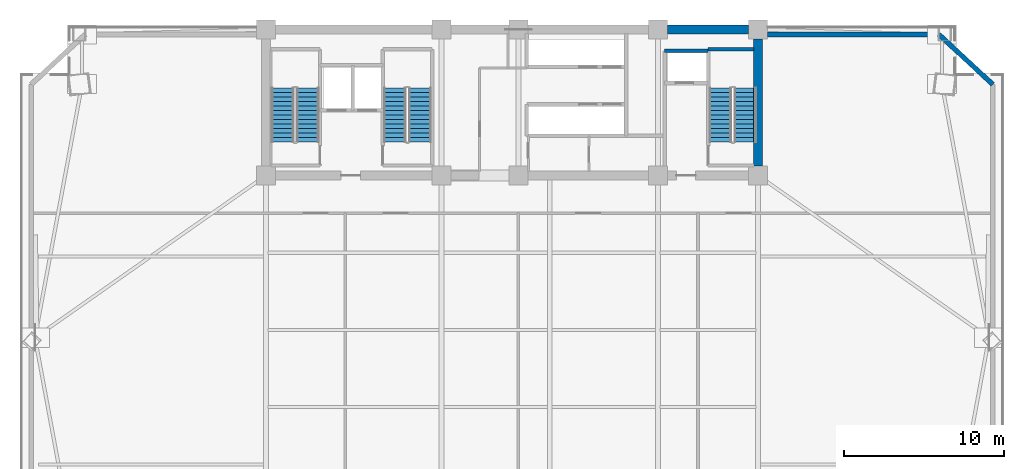
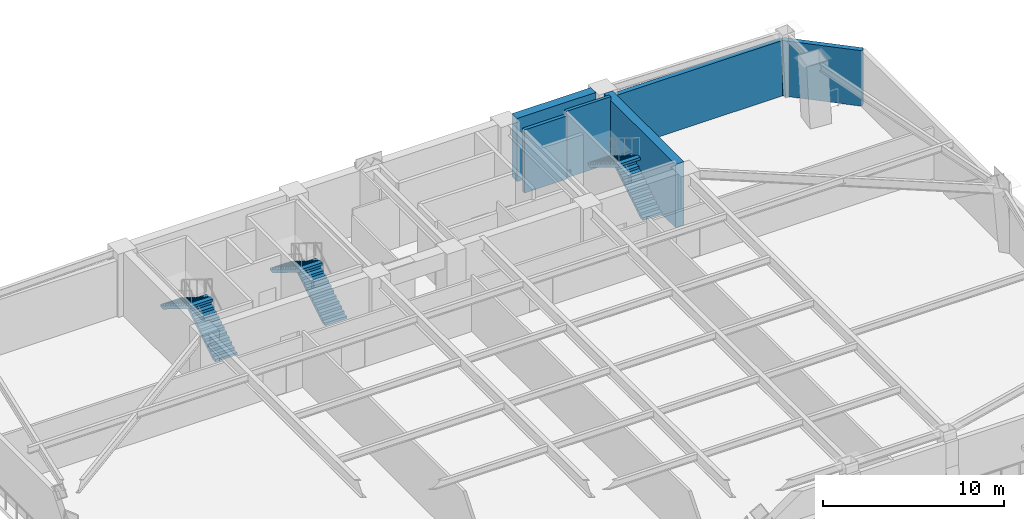
# One storey, part 4 of 9: 6 stair flights, 6 walls, 3 elements without a shape of their own.
"""IFC4 building model written with IfcOpenShell, lengths in metres."""

import ifcopenshell
import ifcopenshell.guid

model = None  # the IFC model being written
_history = None  # IfcOwnerHistory: only IFC2X3 demands one
_inside = {}  # id of a spatial element -> (the spatial element, [elements in it])
_under = {}  # id of a project, library or spatial element -> (it, [spatial elements below it])
_declared = {}  # id of a project -> (the project, [libraries it declares])
_typed = {}  # id of a type object -> (the type object, [elements of that type])
_made_of = {}  # id of a material, layer set ... -> (it, [elements and type objects made of it])


def new_model(schema):
    """Start an empty IFC model of exactly this schema.

    Asked for "IFC4X3", IfcOpenShell would pick the latest addendum, in which some entities
    have other attributes; the version numbers below select the first issue.
    IFC2X3 requires an IfcOwnerHistory on every rooted entity: one is made here for all.
    """
    global model, _history
    if schema == "IFC4X3":
        model = ifcopenshell.file(schema_version=(4, 3, 0, 0))
    else:
        model = ifcopenshell.file(schema=schema)
    _inside.clear()
    _under.clear()
    _declared.clear()
    _typed.clear()
    _made_of.clear()
    _history = None
    if model.schema == "IFC2X3":
        org = make("IfcOrganization", Name="unknown")
        user = make(
            "IfcPersonAndOrganization",
            ThePerson=make("IfcPerson", FamilyName="unknown"),
            TheOrganization=org,
        )
        app = make(
            "IfcApplication",
            ApplicationDeveloper=org,
            Version="unknown",
            ApplicationFullName="unknown",
            ApplicationIdentifier="unknown",
        )
        _history = make(
            "IfcOwnerHistory",
            OwningUser=user,
            OwningApplication=app,
            ChangeAction="ADDED",
            CreationDate=0,
        )
    return model


def make(cls, **values):
    """One entity of the class cls with the attributes given. An attribute that is None is left unset."""
    return model.create_entity(
        cls, **{name: value for name, value in values.items() if value is not None}
    )


def rooted(cls, **values):
    """An entity with a GlobalId (a new one), such as an element, a storey or a relation."""
    return make(cls, GlobalId=ifcopenshell.guid.new(), OwnerHistory=_history, **values)


def si_unit(unit_type, name, prefix=None):
    """IfcSIUnit, for example si_unit("LENGTHUNIT", "METRE", prefix="MILLI")."""
    return make("IfcSIUnit", UnitType=unit_type, Prefix=prefix, Name=name)


def assignment(units):
    """IfcUnitAssignment: the units of a project."""
    return None if units is None else make("IfcUnitAssignment", Units=units)


def point(xyz):
    """IfcCartesianPoint."""
    return None if xyz is None else make("IfcCartesianPoint", Coordinates=xyz)


def direction(xyz):
    """IfcDirection."""
    return None if xyz is None else make("IfcDirection", DirectionRatios=xyz)


def frame(location, z_axis=None, x_axis=None):
    """IfcAxis2Placement3D, a coordinate frame: its origin and axes. An axis left out is left unset."""
    return make(
        "IfcAxis2Placement3D",
        Location=point(location),
        Axis=direction(z_axis),
        RefDirection=direction(x_axis),
    )


def frame_2d(location, x_axis=None):
    """IfcAxis2Placement2D, a coordinate frame in the plane: its origin and x axis."""
    return make(
        "IfcAxis2Placement2D", Location=point(location), RefDirection=direction(x_axis)
    )


def origin():
    """The frame at (0, 0, 0) with its axes left unset."""
    return frame((0.0, 0.0, 0.0))


def place(relative_to, where):
    """IfcLocalPlacement: puts the frame where relative to a parent placement (None: the world)."""
    return make(
        "IfcLocalPlacement", PlacementRelTo=relative_to, RelativePlacement=where
    )


def context(
    kind, dimensions, precision=None, world=None, true_north=None, identifier=None
):
    """IfcGeometricRepresentationContext, for example the 3D "Model" context."""
    return make(
        "IfcGeometricRepresentationContext",
        ContextIdentifier=identifier,
        ContextType=kind,
        CoordinateSpaceDimension=dimensions,
        Precision=precision,
        WorldCoordinateSystem=world,
        TrueNorth=true_north,
    )


def subcontext(parent, identifier, kind, view, scale=None):
    """IfcGeometricRepresentationSubContext, for example "Body" below "Model"."""
    return make(
        "IfcGeometricRepresentationSubContext",
        ContextIdentifier=identifier,
        ContextType=kind,
        ParentContext=parent,
        TargetScale=scale,
        TargetView=view,
    )


def project(units=None, contexts=None):
    """IfcProject with its units and contexts."""
    return rooted(
        "IfcProject",
        Name="project",
        RepresentationContexts=contexts,
        UnitsInContext=assignment(units),
    )


def spatial(cls, under=None, at=None, **own):
    """A site, building, storey or space (cls), placed at a placement, below another one or the project."""
    s = rooted(cls, ObjectPlacement=at, **own)
    if under is not None:
        _under.setdefault(under.id(), (under, []))[1].append(s)
    return s


def polyline(points):
    """IfcPolyline through the points."""
    return make("IfcPolyline", Points=[point(p) for p in points])


def profile(cls, at=None, kind="AREA", **sizes):
    """A parametric profile (cls). Its sizes go by their IFC names, for example OverallWidth=200.0."""
    return make(cls, ProfileType=kind, Position=at, **sizes)


def rectangle(**sizes):
    """IfcRectangleProfileDef."""
    return profile("IfcRectangleProfileDef", **sizes)


def outline(outer, holes=None, kind="AREA"):
    """IfcArbitraryClosedProfileDef: a profile drawn as a closed curve; with holes, ...WithVoids."""
    if holes is None:
        return make("IfcArbitraryClosedProfileDef", ProfileType=kind, OuterCurve=outer)
    return make(
        "IfcArbitraryProfileDefWithVoids",
        ProfileType=kind,
        OuterCurve=outer,
        InnerCurves=holes,
    )


def extrude(swept, where, along, depth):
    """IfcExtrudedAreaSolid: the profile swept, set in the frame where, extruded along a direction by depth."""
    return make(
        "IfcExtrudedAreaSolid",
        SweptArea=swept,
        Position=where,
        ExtrudedDirection=direction(along),
        Depth=depth,
    )


def shape(context_of_items, identifier, shape_type, items):
    """IfcShapeRepresentation: the items that make up one representation, for example the "Body"."""
    return make(
        "IfcShapeRepresentation",
        ContextOfItems=context_of_items,
        RepresentationIdentifier=identifier,
        RepresentationType=shape_type,
        Items=items,
    )


def material(Name=None, Category=None):
    """IfcMaterial."""
    return make("IfcMaterial", Name=Name, Category=Category)


def layer(
    of_material, thickness, ventilated=None, Name=None, Category=None, Priority=None
):
    """IfcMaterialLayer: one layer of a wall or slab, of a material (None: an air gap)."""
    return make(
        "IfcMaterialLayer",
        Material=of_material,
        LayerThickness=thickness,
        IsVentilated=ventilated,
        Name=Name,
        Category=Category,
        Priority=Priority,
    )


def layer_set(layers, Name=None):
    """IfcMaterialLayerSet."""
    return make("IfcMaterialLayerSet", MaterialLayers=layers, LayerSetName=Name)


def made_of(thing, what):
    """Note that an element or type object is made of a material, layer set ...; save() writes the relation."""
    if what is not None:
        _made_of.setdefault(what.id(), (what, []))[1].append(thing)
    return thing


def type_object(cls, material=None, **own):
    """A type object (cls), such as IfcWallType, which elements share."""
    return made_of(rooted(cls, **own), material)


def element(
    cls,
    number,
    at=None,
    inside=None,
    cuts=None,
    type_object=None,
    material=None,
    context=None,
    identifier="Body",
    shape_type=None,
    held_by="IfcProductDefinitionShape",
    body=None,
    shapes=None,
    **own,
):
    """One element of the class cls, such as IfcWall. Its Tag is "e" and its number.

    at: its placement. inside: the storey or other place that contains it. cuts: it is an
    opening in that element (IfcRelVoidsElement). A single representation is given by context,
    identifier, shape_type and body (its items); several are given by shapes. held_by: the class
    of the entity that holds the representations. save() writes the other relations.
    """
    e = rooted(cls, Tag="e%d" % number, ObjectPlacement=at, **own)
    if body is not None:
        shapes = [shape(context, identifier, shape_type, body)]
    if shapes is not None:
        e.Representation = make(held_by, Representations=shapes)
    if inside is not None:
        _inside.setdefault(inside.id(), (inside, []))[1].append(e)
    if cuts is not None:
        rooted(
            "IfcRelVoidsElement", RelatingBuildingElement=cuts, RelatedOpeningElement=e
        )
    if type_object is not None:
        _typed.setdefault(type_object.id(), (type_object, []))[1].append(e)
    return made_of(e, material)


def aggregate(whole, parts):
    """IfcRelAggregates: a whole, such as a stair, and the parts it consists of."""
    return rooted("IfcRelAggregates", RelatingObject=whole, RelatedObjects=parts)


def save(model, path):
    """Write the relations noted so far, then the file.

    IfcRelAggregates (storeys below a building ...), IfcRelContainedInSpatialStructure (elements
    in a storey), IfcRelDefinesByType, IfcRelAssociatesMaterial and IfcRelDeclares: one each for
    every whole, place, type object, material and project.
    """
    for whole, parts in _under.values():
        aggregate(whole, parts)
    for where, things in _inside.values():
        rooted(
            "IfcRelContainedInSpatialStructure",
            RelatedElements=things,
            RelatingStructure=where,
        )
    for kind, things in _typed.values():
        rooted("IfcRelDefinesByType", RelatedObjects=things, RelatingType=kind)
    for what, things in _made_of.values():
        rooted("IfcRelAssociatesMaterial", RelatedObjects=things, RelatingMaterial=what)
    for by, libraries in _declared.values():
        rooted("IfcRelDeclares", RelatingContext=by, RelatedDefinitions=libraries)
    model.write(path)


model = new_model("IFC4")

# Units and contexts
model_context = context("Model", 3, precision=1e-05, world=origin(), true_north=direction((0.0, 1.0)))
body_context = subcontext(model_context, "Body", "Model", "MODEL_VIEW")
ifc_project = project(units=[si_unit("LENGTHUNIT", "METRE"), si_unit("AREAUNIT", "SQUARE_METRE"), si_unit("VOLUMEUNIT", "CUBIC_METRE"), si_unit("PLANEANGLEUNIT", "RADIAN"), si_unit("MASSUNIT", "GRAM", prefix="KILO")], contexts=[model_context])

# Site, building, storey
site_placement = place(None, origin())
site = spatial("IfcSite", under=ifc_project, at=site_placement, CompositionType="ELEMENT")
building_placement = place(site_placement, origin())
building = spatial("IfcBuilding", under=site, at=building_placement, Name="Giltprow Tower", CompositionType="ELEMENT")
storey_placement = place(building_placement, frame((0.0, 0.0, 144.699951171875)))
storey = spatial("IfcBuildingStorey", under=building, at=storey_placement, Name="L35", CompositionType="ELEMENT", Elevation=144.699951171875)

# Walls
ifc_material_1 = material(Name="Precast concrete C40", Category="concrete")
ifc_layer_1 = layer(ifc_material_1, 0.300048828125, Name="Precast concrete C40")
ifc_layer_set_1 = layer_set([ifc_layer_1], Name="Precast concrete C40")
wall_type_1 = type_object("IfcWallType", Name="EW-NOTCH-CHAMFER-300", PredefinedType="SOLIDWALL", material=ifc_layer_set_1)
wall_1_placement = place(storey_placement, frame((65.18603515625, 43.134033203125, 0.0), z_axis=(0.0, 0.0, 1.0), x_axis=(-0.733735117654, 0.67943563133, 0.0)))
element("IfcWall", 1, at=wall_1_placement, inside=storey, type_object=wall_type_1, Name="L35 Corner Notch Wall NE", PredefinedType="SOLIDWALL", context=body_context, shape_type="SweptSolid", body=[
    extrude(rectangle(XDim=4.586181640625, YDim=0.300048828125, at=frame_2d((2.29296875, 0.0))), origin(), (0.0, 0.0, 1.0), 3.75),
])
ifc_layer_2 = layer(ifc_material_1, 0.300048828125, Name="Precast concrete C40")
ifc_layer_set_2 = layer_set([ifc_layer_2], Name="Precast concrete C40")
wall_type_2 = type_object("IfcWallType", Name="EW-REF-LOUVRE-300", PredefinedType="SOLIDWALL", material=ifc_layer_set_2)
wall_2_placement = place(storey_placement, frame((51.14990234375, 46.25, 0.0), z_axis=(0.0, 0.0, 1.0), x_axis=(1.0, 0.0, 0.0)))
element("IfcWall", 2, at=wall_2_placement, inside=storey, type_object=wall_type_2, Name="L35 North-East Wing Wall", PredefinedType="SOLIDWALL", context=body_context, shape_type="SweptSolid", body=[
    extrude(rectangle(XDim=10.671142578125, YDim=0.300048828125, at=frame_2d((5.33544921875, 0.0))), origin(), (0.0, 0.0, 1.0), 3.75),
])
ifc_material_2 = material(Name="Concrete C40", Category="concrete")
ifc_layer_3 = layer(ifc_material_2, 0.219970703125, Name="Concrete C40")
ifc_layer_set_3 = layer_set([ifc_layer_3], Name="Concrete C40")
wall_type_3 = type_object("IfcWallType", Name="IW-SHAFT-220", PredefinedType="SOLIDWALL", material=ifc_layer_set_3)
wall_3_placement = place(storey_placement, frame((44.719970703125, 45.219970703125, 0.0), z_axis=(0.0, 0.0, 1.0), x_axis=(1.0, 0.0, 0.0)))
element("IfcWall", 3, at=wall_3_placement, inside=storey, type_object=wall_type_3, Name="L35 FFL2 Back Shaft Wall", PredefinedType="SOLIDWALL", context=body_context, shape_type="SweptSolid", body=[
    extrude(rectangle(XDim=2.719970703125, YDim=0.219970703125, at=frame_2d((1.35986328125, 0.0))), origin(), (0.0, 0.0, 1.0), 4.27001953125),
])
ifc_layer_4 = layer(ifc_material_2, 0.199951171875, Name="Concrete C40")
ifc_layer_set_4 = layer_set([ifc_layer_4], Name="Concrete C40")
wall_type_4 = type_object("IfcWallType", Name="IW-STAIR-200", PredefinedType="SOLIDWALL", material=ifc_layer_set_4)
wall_4_placement = place(storey_placement, frame((47.43994140625, 45.320068359375, 0.0), z_axis=(0.0, 0.0, 1.0), x_axis=(1.0, 0.0, 0.0)))
element("IfcWall", 4, at=wall_4_placement, inside=storey, type_object=wall_type_4, Name="L35 Stair ST-3 North Bearing Wall", PredefinedType="SOLIDWALL", context=body_context, shape_type="SweptSolid", body=[
    extrude(rectangle(XDim=2.85498046875, YDim=0.199951171875, at=frame_2d((1.427490234375, 0.0))), origin(), (0.0, 0.0, 1.0), 4.5),
])
ifc_material_3 = material(Name="Concrete C60", Category="concrete")
ifc_layer_5 = layer(ifc_material_3, 0.550048828125, Name="Concrete C60")
ifc_layer_set_5 = layer_set([ifc_layer_5], Name="Concrete C60")
wall_type_5 = type_object("IfcWallType", Name="SW-EXT-550-C60", PredefinedType="SHEAR", material=ifc_layer_set_5)
wall_5_placement = place(storey_placement, frame((44.89990234375, 46.550048828125, 0.0), z_axis=(0.0, 0.0, 1.0), x_axis=(1.0, 0.0, 0.0)))
element("IfcWall", 5, at=wall_5_placement, inside=storey, type_object=wall_type_5, Name="L35 North Rear Core Shear Wall 4", PredefinedType="SHEAR", context=body_context, shape_type="SweptSolid", body=[
    extrude(rectangle(XDim=5.050048828125, YDim=0.550048828125, at=frame_2d((2.52490234375, 0.0))), origin(), (0.0, 0.0, 1.0), 4.27001953125),
])
ifc_layer_6 = layer(ifc_material_3, 0.550048828125, Name="Concrete C60")
ifc_layer_set_6 = layer_set([ifc_layer_6], Name="Concrete C60")
wall_type_6 = type_object("IfcWallType", Name="SW-INT-550-C60", PredefinedType="SHEAR", material=ifc_layer_set_6)
wall_6_placement = place(storey_placement, frame((50.550048828125, 38.050048828125, 0.0), z_axis=(0.0, 0.0, 1.0), x_axis=(0.0, 1.0, 0.0)))
element("IfcWall", 6, at=wall_6_placement, inside=storey, type_object=wall_type_6, Name="L35 E Rear Core Shear Wall", PredefinedType="SHEAR", context=body_context, shape_type="SweptSolid", body=[
    extrude(rectangle(XDim=7.89990234375, YDim=0.550048828125, at=frame_2d((3.949951171875, 0.0))), origin(), (0.0, 0.0, 1.0), 4.27001953125),
])

# Stair, stair flights
stair_type_1 = type_object("IfcStairType", Name="STR-ST-1", PredefinedType="HALF_TURN_STAIR", material=ifc_material_2)
stair_1_placement = place(storey_placement, origin())
stair_1 = element("IfcStair", 7, at=stair_1_placement, inside=storey, type_object=stair_type_1, Name="L35 Core Exit Stair ST-1", PredefinedType="HALF_TURN_STAIR")
stair_flight_type_1 = type_object("IfcStairFlightType", Name="SFL-ST-1", PredefinedType="STRAIGHT", material=ifc_material_2)
stair_flight_1_placement = place(storey_placement, frame((22.4599609375, 39.550048828125, 0.0), z_axis=(0.0, 0.0, 1.0), x_axis=(0.0, 1.0, 0.0)))
stair_flight_1 = element("IfcStairFlight", 8, at=stair_flight_1_placement, type_object=stair_flight_type_1, Name="ST-1 flight 1", NumberOfRisers=13, NumberOfTreads=12, PredefinedType="STRAIGHT", RiserHeight=0.173076923, TreadLength=0.28, context=body_context, shape_type="SweptSolid", body=[
    extrude(outline(polyline([(0.0, 0.0), (0.0, 0.173095703125), (0.280029296875, 0.173095703125), (0.280029296875, 0.34619140625), (0.56005859375, 0.34619140625), (0.56005859375, 0.519287109375), (0.840087890625, 0.519287109375), (0.840087890625, 0.6923828125), (1.1201171875, 0.6923828125), (1.1201171875, 0.865478515625), (1.39990234375, 0.865478515625), (1.39990234375, 1.03857421875), (1.679931640625, 1.03857421875), (1.679931640625, 1.21142578125), (1.9599609375, 1.21142578125), (1.9599609375, 1.384521484375), (2.239990234375, 1.384521484375), (2.239990234375, 1.5576171875), (2.52001953125, 1.5576171875), (2.52001953125, 1.730712890625), (2.800048828125, 1.730712890625), (2.800048828125, 1.90380859375), (3.080078125, 1.90380859375), (3.080078125, 2.076904296875), (3.360107421875, 2.076904296875), (3.360107421875, 2.25), (3.360107421875, 1.900634765625), (0.28515625, 0.0), (0.0, 0.0)])), frame((0.0, 0.699951171875, 0.0), z_axis=(0.0, -1.0, 0.0), x_axis=(1.0, 0.0, 0.0)), (0.0, 0.0, 1.0), 1.39990234375),
])
stair_flight_2_placement = place(storey_placement, frame((20.89990234375, 42.909912109375, 2.25), z_axis=(0.0, 0.0, 1.0), x_axis=(0.0, -1.0, 0.0)))
stair_flight_2 = element("IfcStairFlight", 9, at=stair_flight_2_placement, type_object=stair_flight_type_1, Name="ST-1 flight 2", NumberOfRisers=13, NumberOfTreads=12, PredefinedType="STRAIGHT", RiserHeight=0.173076923, TreadLength=0.28, context=body_context, shape_type="SweptSolid", body=[
    extrude(outline(polyline([(0.0, 0.0), (0.0, 0.173095703125), (0.280029296875, 0.173095703125), (0.280029296875, 0.34619140625), (0.56005859375, 0.34619140625), (0.56005859375, 0.519287109375), (0.840087890625, 0.519287109375), (0.840087890625, 0.6923828125), (1.1201171875, 0.6923828125), (1.1201171875, 0.865478515625), (1.39990234375, 0.865478515625), (1.39990234375, 1.03857421875), (1.679931640625, 1.03857421875), (1.679931640625, 1.21142578125), (1.9599609375, 1.21142578125), (1.9599609375, 1.384521484375), (2.239990234375, 1.384521484375), (2.239990234375, 1.5576171875), (2.52001953125, 1.5576171875), (2.52001953125, 1.730712890625), (2.800048828125, 1.730712890625), (2.800048828125, 1.90380859375), (3.080078125, 1.90380859375), (3.080078125, 2.076904296875), (3.360107421875, 2.076904296875), (3.360107421875, 2.25), (3.360107421875, 1.900634765625), (0.28515625, 0.0), (0.0, 0.0)])), frame((0.0, 0.699951171875, 0.0), z_axis=(0.0, -1.0, 0.0), x_axis=(1.0, 0.0, 0.0)), (0.0, 0.0, 1.0), 1.39990234375),
])
aggregate(stair_1, [stair_flight_1, stair_flight_2])

stair_type_2 = type_object("IfcStairType", Name="STR-ST-2", PredefinedType="HALF_TURN_STAIR", material=ifc_material_2)
stair_2_placement = place(storey_placement, origin())
stair_2 = element("IfcStair", 10, at=stair_2_placement, inside=storey, type_object=stair_type_2, Name="L35 Core Exit Stair ST-2", PredefinedType="HALF_TURN_STAIR")
stair_flight_type_2 = type_object("IfcStairFlightType", Name="SFL-ST-2", PredefinedType="STRAIGHT", material=ifc_material_2)
stair_flight_3_placement = place(storey_placement, frame((29.4599609375, 39.550048828125, 0.0), z_axis=(0.0, 0.0, 1.0), x_axis=(0.0, 1.0, 0.0)))
stair_flight_3 = element("IfcStairFlight", 11, at=stair_flight_3_placement, type_object=stair_flight_type_2, Name="ST-2 flight 1", NumberOfRisers=13, NumberOfTreads=12, PredefinedType="STRAIGHT", RiserHeight=0.173076923, TreadLength=0.28, context=body_context, shape_type="SweptSolid", body=[
    extrude(outline(polyline([(0.0, 0.0), (0.0, 0.173095703125), (0.280029296875, 0.173095703125), (0.280029296875, 0.34619140625), (0.56005859375, 0.34619140625), (0.56005859375, 0.519287109375), (0.840087890625, 0.519287109375), (0.840087890625, 0.6923828125), (1.1201171875, 0.6923828125), (1.1201171875, 0.865478515625), (1.39990234375, 0.865478515625), (1.39990234375, 1.03857421875), (1.679931640625, 1.03857421875), (1.679931640625, 1.21142578125), (1.9599609375, 1.21142578125), (1.9599609375, 1.384521484375), (2.239990234375, 1.384521484375), (2.239990234375, 1.5576171875), (2.52001953125, 1.5576171875), (2.52001953125, 1.730712890625), (2.800048828125, 1.730712890625), (2.800048828125, 1.90380859375), (3.080078125, 1.90380859375), (3.080078125, 2.076904296875), (3.360107421875, 2.076904296875), (3.360107421875, 2.25), (3.360107421875, 1.900634765625), (0.28515625, 0.0), (0.0, 0.0)])), frame((0.0, 0.699951171875, 0.0), z_axis=(0.0, -1.0, 0.0), x_axis=(1.0, 0.0, 0.0)), (0.0, 0.0, 1.0), 1.39990234375),
])
stair_flight_4_placement = place(storey_placement, frame((27.89990234375, 42.909912109375, 2.25), z_axis=(0.0, 0.0, 1.0), x_axis=(0.0, -1.0, 0.0)))
stair_flight_4 = element("IfcStairFlight", 12, at=stair_flight_4_placement, type_object=stair_flight_type_2, Name="ST-2 flight 2", NumberOfRisers=13, NumberOfTreads=12, PredefinedType="STRAIGHT", RiserHeight=0.173076923, TreadLength=0.28, context=body_context, shape_type="SweptSolid", body=[
    extrude(outline(polyline([(0.0, 0.0), (0.0, 0.173095703125), (0.280029296875, 0.173095703125), (0.280029296875, 0.34619140625), (0.56005859375, 0.34619140625), (0.56005859375, 0.519287109375), (0.840087890625, 0.519287109375), (0.840087890625, 0.6923828125), (1.1201171875, 0.6923828125), (1.1201171875, 0.865478515625), (1.39990234375, 0.865478515625), (1.39990234375, 1.03857421875), (1.679931640625, 1.03857421875), (1.679931640625, 1.21142578125), (1.9599609375, 1.21142578125), (1.9599609375, 1.384521484375), (2.239990234375, 1.384521484375), (2.239990234375, 1.5576171875), (2.52001953125, 1.5576171875), (2.52001953125, 1.730712890625), (2.800048828125, 1.730712890625), (2.800048828125, 1.90380859375), (3.080078125, 1.90380859375), (3.080078125, 2.076904296875), (3.360107421875, 2.076904296875), (3.360107421875, 2.25), (3.360107421875, 1.900634765625), (0.28515625, 0.0), (0.0, 0.0)])), frame((0.0, 0.699951171875, 0.0), z_axis=(0.0, -1.0, 0.0), x_axis=(1.0, 0.0, 0.0)), (0.0, 0.0, 1.0), 1.39990234375),
])
aggregate(stair_2, [stair_flight_3, stair_flight_4])

stair_type_3 = type_object("IfcStairType", Name="STR-ST-3", PredefinedType="HALF_TURN_STAIR", material=ifc_material_2)
stair_3_placement = place(storey_placement, origin())
stair_3 = element("IfcStair", 13, at=stair_3_placement, inside=storey, type_object=stair_type_3, Name="L35 Core Exit Stair ST-3", PredefinedType="HALF_TURN_STAIR")
stair_flight_type_3 = type_object("IfcStairFlightType", Name="SFL-ST-3", PredefinedType="STRAIGHT", material=ifc_material_2)
stair_flight_5_placement = place(storey_placement, frame((49.760009765625, 39.550048828125, 0.0), z_axis=(0.0, 0.0, 1.0), x_axis=(0.0, 1.0, 0.0)))
stair_flight_5 = element("IfcStairFlight", 14, at=stair_flight_5_placement, type_object=stair_flight_type_3, Name="ST-3 flight 1", NumberOfRisers=13, NumberOfTreads=12, PredefinedType="STRAIGHT", RiserHeight=0.173076923, TreadLength=0.28, context=body_context, shape_type="SweptSolid", body=[
    extrude(outline(polyline([(0.0, 0.0), (0.0, 0.173095703125), (0.280029296875, 0.173095703125), (0.280029296875, 0.34619140625), (0.56005859375, 0.34619140625), (0.56005859375, 0.519287109375), (0.840087890625, 0.519287109375), (0.840087890625, 0.6923828125), (1.1201171875, 0.6923828125), (1.1201171875, 0.865478515625), (1.39990234375, 0.865478515625), (1.39990234375, 1.03857421875), (1.679931640625, 1.03857421875), (1.679931640625, 1.21142578125), (1.9599609375, 1.21142578125), (1.9599609375, 1.384521484375), (2.239990234375, 1.384521484375), (2.239990234375, 1.5576171875), (2.52001953125, 1.5576171875), (2.52001953125, 1.730712890625), (2.800048828125, 1.730712890625), (2.800048828125, 1.90380859375), (3.080078125, 1.90380859375), (3.080078125, 2.076904296875), (3.360107421875, 2.076904296875), (3.360107421875, 2.25), (3.360107421875, 1.900634765625), (0.28515625, 0.0), (0.0, 0.0)])), frame((0.0, 0.699951171875, 0.0), z_axis=(0.0, -1.0, 0.0), x_axis=(1.0, 0.0, 0.0)), (0.0, 0.0, 1.0), 1.39990234375),
])
stair_flight_6_placement = place(storey_placement, frame((48.199951171875, 42.909912109375, 2.25), z_axis=(0.0, 0.0, 1.0), x_axis=(0.0, -1.0, 0.0)))
stair_flight_6 = element("IfcStairFlight", 15, at=stair_flight_6_placement, type_object=stair_flight_type_3, Name="ST-3 flight 2", NumberOfRisers=13, NumberOfTreads=12, PredefinedType="STRAIGHT", RiserHeight=0.173076923, TreadLength=0.28, context=body_context, shape_type="SweptSolid", body=[
    extrude(outline(polyline([(0.0, 0.0), (0.0, 0.173095703125), (0.280029296875, 0.173095703125), (0.280029296875, 0.34619140625), (0.56005859375, 0.34619140625), (0.56005859375, 0.519287109375), (0.840087890625, 0.519287109375), (0.840087890625, 0.6923828125), (1.1201171875, 0.6923828125), (1.1201171875, 0.865478515625), (1.39990234375, 0.865478515625), (1.39990234375, 1.03857421875), (1.679931640625, 1.03857421875), (1.679931640625, 1.21142578125), (1.9599609375, 1.21142578125), (1.9599609375, 1.384521484375), (2.239990234375, 1.384521484375), (2.239990234375, 1.5576171875), (2.52001953125, 1.5576171875), (2.52001953125, 1.730712890625), (2.800048828125, 1.730712890625), (2.800048828125, 1.90380859375), (3.080078125, 1.90380859375), (3.080078125, 2.076904296875), (3.360107421875, 2.076904296875), (3.360107421875, 2.25), (3.360107421875, 1.900634765625), (0.28515625, 0.0), (0.0, 0.0)])), frame((0.0, 0.699951171875, 0.0), z_axis=(0.0, -1.0, 0.0), x_axis=(1.0, 0.0, 0.0)), (0.0, 0.0, 1.0), 1.39990234375),
])
aggregate(stair_3, [stair_flight_5, stair_flight_6])

save(model, "model.ifc")
